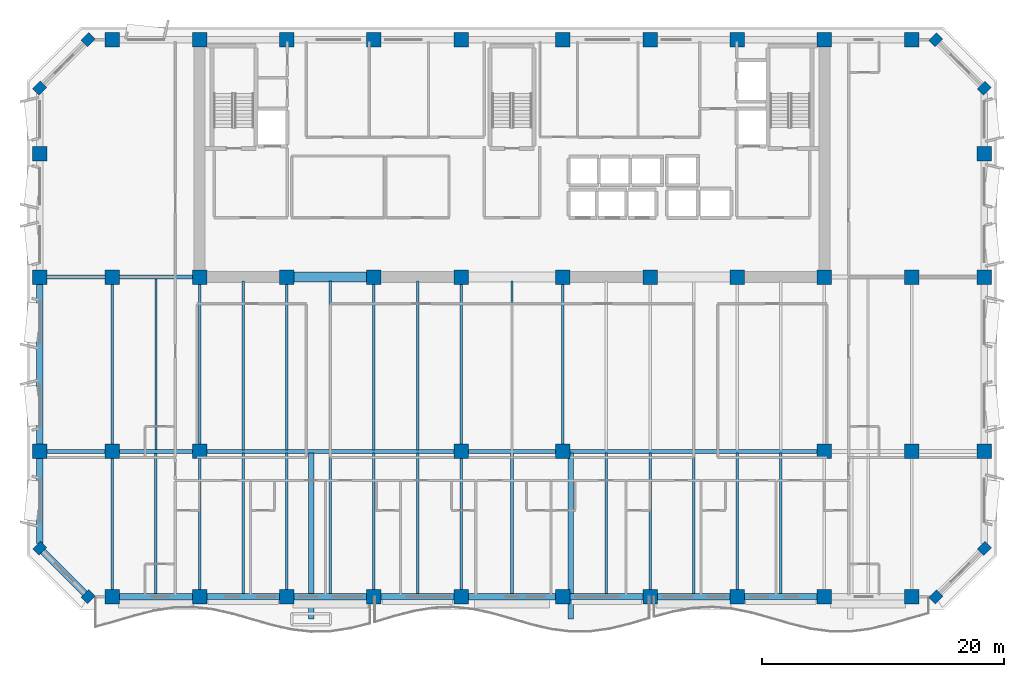
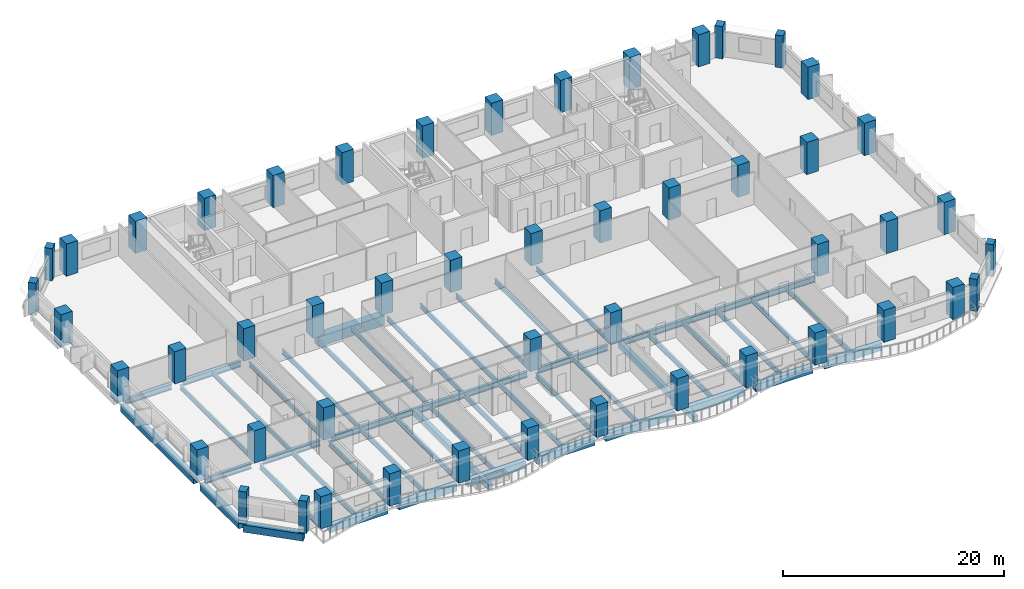
# One storey, part 1 of 15: 50 columns, 47 beams.
"""IFC4 building model written with IfcOpenShell, lengths in metres."""

from ifc_helpers import new_model, si_unit, direction, frame, origin, origin_2d, place, context, subcontext, project, spatial, rectangle, i_section, extrude, material, material_profile, profile_set, type_object, element, save


model = new_model("IFC4")

# Units and contexts
model_context = context("Model", 3, precision=1e-05, world=origin(), true_north=direction((0.0, 1.0)))
body_context = subcontext(model_context, "Body", "Model", "MODEL_VIEW")
ifc_project = project(units=[si_unit("LENGTHUNIT", "METRE"), si_unit("AREAUNIT", "SQUARE_METRE"), si_unit("VOLUMEUNIT", "CUBIC_METRE"), si_unit("PLANEANGLEUNIT", "RADIAN"), si_unit("MASSUNIT", "GRAM", prefix="KILO")], contexts=[model_context])

# Site, building, storey
site_placement = place(None, origin())
site = spatial("IfcSite", under=ifc_project, at=site_placement, CompositionType="ELEMENT")
building_placement = place(site_placement, origin())
building = spatial("IfcBuilding", under=site, at=building_placement, Name="Kaelvorn Grand Hotel", CompositionType="ELEMENT")
storey_placement = place(building_placement, frame((0.0, 0.0, 154.35009765625)))
storey = spatial("IfcBuildingStorey", under=building, at=storey_placement, Name="L37", CompositionType="ELEMENT", Elevation=154.35009765625)

# Columns
ifc_material_1 = material(Name="Concrete C60/75", Category="concrete")
ifc_material_profile_1 = material_profile(ifc_material_1, rectangle(XDim=0.89990234375, YDim=0.75, at=origin_2d()), Name="RC PILASTER 900x750")
ifc_profile_set_1 = profile_set([ifc_material_profile_1], Name="Concrete C60/75")
column_type_1 = type_object("IfcColumnType", Name="COL-PIL-900x750-C60", PredefinedType="PILASTER", material=ifc_profile_set_1)
for number, where, z_axis, x_axis, name in (
    (1, (7.0, 3.0, 0.0), (0.0, 0.0, 1.0), (0.707106781187, 0.707106781187, 0.0), "L37 Structural Column CH-01"),
    (2, (77.0, 3.0, 0.0), (0.0, 0.0, 1.0), (0.707106781187, 0.707106781187, 0.0), "L37 Structural Column CH-02"),
    (3, (81.0, 7.0, 0.0), (0.0, 0.0, 1.0), (0.707106781187, 0.707106781187, 0.0), "L37 Structural Column CH-03"),
    (4, (81.0, 45.0, 0.0), (0.0, 0.0, 1.0), (0.707106781187, 0.707106781187, 0.0), "L37 Structural Column CH-04"),
    (5, (77.0, 49.0, 0.0), (0.0, 0.0, 1.0), (0.707106781187, 0.707106781187, 0.0), "L37 Structural Column CH-05"),
    (6, (7.0, 49.0, 0.0), (0.0, 0.0, 1.0), (0.707106781187, 0.707106781187, 0.0), "L37 Structural Column CH-06"),
    (7, (3.0, 45.0, 0.0), (0.0, 0.0, 1.0), (0.707106781187, 0.707106781187, 0.0), "L37 Structural Column CH-07"),
    (8, (3.0, 7.0, 0.0), (0.0, 0.0, 1.0), (0.707106781187, 0.707106781187, 0.0), "L37 Structural Column CH-08"),
):
    element("IfcColumn", number, at=place(storey_placement, frame(where, z_axis=z_axis, x_axis=x_axis)), inside=storey, type_object=column_type_1, Name=name, PredefinedType="PILASTER", context=body_context, shape_type="SweptSolid", body=[
        extrude(rectangle(XDim=0.89990234375, YDim=0.75, at=origin_2d()), origin(), (0.0, 0.0, 1.0), 3.559814453125),
    ])
ifc_material_profile_2 = material_profile(ifc_material_1, rectangle(XDim=1.199951171875, YDim=1.199951171875, at=origin_2d()), Name="RC COL 1200x1200")
ifc_profile_set_2 = profile_set([ifc_material_profile_2], Name="Concrete C60/75")
column_type_2 = type_object("IfcColumnType", Name="COL-RC-1200-C60", PredefinedType="COLUMN", material=ifc_profile_set_2)
for number, where, z_axis, x_axis, name in (
    (9, (9.0, 3.0, 0.0), (0.0, 0.0, 1.0), (1.0, 0.0, 0.0), "L37 Structural Column S-01"),
    (10, (16.199951171875, 3.0, 0.0), (0.0, 0.0, 1.0), (1.0, 0.0, 0.0), "L37 Structural Column S-02"),
    (11, (23.39990234375, 3.0, 0.0), (0.0, 0.0, 1.0), (1.0, 0.0, 0.0), "L37 Structural Column S-03"),
    (12, (30.60009765625, 3.0, 0.0), (0.0, 0.0, 1.0), (1.0, 0.0, 0.0), "L37 Structural Column S-04"),
    (13, (37.800048828125, 3.0, 0.0), (0.0, 0.0, 1.0), (1.0, 0.0, 0.0), "L37 Structural Column S-05"),
    (14, (46.199951171875, 3.0, 0.0), (0.0, 0.0, 1.0), (1.0, 0.0, 0.0), "L37 Structural Column S-06"),
    (15, (53.39990234375, 3.0, 0.0), (0.0, 0.0, 1.0), (1.0, 0.0, 0.0), "L37 Structural Column S-07"),
    (16, (60.60009765625, 3.0, 0.0), (0.0, 0.0, 1.0), (1.0, 0.0, 0.0), "L37 Structural Column S-08"),
    (17, (67.800048828125, 3.0, 0.0), (0.0, 0.0, 1.0), (1.0, 0.0, 0.0), "L37 Structural Column S-09"),
    (18, (75.0, 3.0, 0.0), (0.0, 0.0, 1.0), (1.0, 0.0, 0.0), "L37 Structural Column S-10"),
    (19, (3.0, 15.0, 0.0), (0.0, 0.0, 1.0), (1.0, 0.0, 0.0), "L37 Structural Column W-01"),
    (20, (81.0, 15.0, 0.0), (0.0, 0.0, 1.0), (1.0, 0.0, 0.0), "L37 Structural Column E-01"),
    (21, (3.0, 29.39990234375, 0.0), (0.0, 0.0, 1.0), (1.0, 0.0, 0.0), "L37 Structural Column W-02"),
    (22, (81.0, 29.39990234375, 0.0), (0.0, 0.0, 1.0), (1.0, 0.0, 0.0), "L37 Structural Column E-02"),
    (23, (3.0, 39.60009765625, 0.0), (0.0, 0.0, 1.0), (1.0, 0.0, 0.0), "L37 Structural Column W-03"),
    (24, (81.0, 39.60009765625, 0.0), (0.0, 0.0, 1.0), (1.0, 0.0, 0.0), "L37 Structural Column E-03"),
    (25, (9.0, 15.0, 0.0), (0.0, 0.0, 1.0), (1.0, 0.0, 0.0), "L37 Structural Column M-01"),
    (26, (16.199951171875, 15.0, 0.0), (0.0, 0.0, 1.0), (1.0, 0.0, 0.0), "L37 Structural Column M-02"),
    (27, (37.800048828125, 15.0, 0.0), (0.0, 0.0, 1.0), (1.0, 0.0, 0.0), "L37 Structural Column M-03"),
    (28, (46.199951171875, 15.0, 0.0), (0.0, 0.0, 1.0), (1.0, 0.0, 0.0), "L37 Structural Column M-04"),
    (29, (67.800048828125, 15.0, 0.0), (0.0, 0.0, 1.0), (1.0, 0.0, 0.0), "L37 Structural Column M-05"),
    (30, (75.0, 15.0, 0.0), (0.0, 0.0, 1.0), (1.0, 0.0, 0.0), "L37 Structural Column M-06"),
    (31, (9.0, 29.39990234375, 0.0), (0.0, 0.0, 1.0), (1.0, 0.0, 0.0), "L37 Structural Column CR1-01"),
    (32, (9.0, 49.0, 0.0), (0.0, 0.0, 1.0), (1.0, 0.0, 0.0), "L37 Structural Column CR2-01"),
    (33, (16.199951171875, 29.39990234375, 0.0), (0.0, 0.0, 1.0), (1.0, 0.0, 0.0), "L37 Structural Column CR1-02"),
    (34, (16.199951171875, 49.0, 0.0), (0.0, 0.0, 1.0), (1.0, 0.0, 0.0), "L37 Structural Column CR2-02"),
    (35, (23.39990234375, 29.39990234375, 0.0), (0.0, 0.0, 1.0), (1.0, 0.0, 0.0), "L37 Structural Column CR1-03"),
    (36, (23.39990234375, 49.0, 0.0), (0.0, 0.0, 1.0), (1.0, 0.0, 0.0), "L37 Structural Column CR2-03"),
    (37, (30.60009765625, 29.39990234375, 0.0), (0.0, 0.0, 1.0), (1.0, 0.0, 0.0), "L37 Structural Column CR1-04"),
    (38, (30.60009765625, 49.0, 0.0), (0.0, 0.0, 1.0), (1.0, 0.0, 0.0), "L37 Structural Column CR2-04"),
    (39, (37.800048828125, 29.39990234375, 0.0), (0.0, 0.0, 1.0), (1.0, 0.0, 0.0), "L37 Structural Column CR1-05"),
    (40, (37.800048828125, 49.0, 0.0), (0.0, 0.0, 1.0), (1.0, 0.0, 0.0), "L37 Structural Column CR2-05"),
    (41, (46.199951171875, 29.39990234375, 0.0), (0.0, 0.0, 1.0), (1.0, 0.0, 0.0), "L37 Structural Column CR1-06"),
    (42, (46.199951171875, 49.0, 0.0), (0.0, 0.0, 1.0), (1.0, 0.0, 0.0), "L37 Structural Column CR2-06"),
    (43, (53.39990234375, 29.39990234375, 0.0), (0.0, 0.0, 1.0), (1.0, 0.0, 0.0), "L37 Structural Column CR1-07"),
    (44, (53.39990234375, 49.0, 0.0), (0.0, 0.0, 1.0), (1.0, 0.0, 0.0), "L37 Structural Column CR2-07"),
    (45, (60.60009765625, 29.39990234375, 0.0), (0.0, 0.0, 1.0), (1.0, 0.0, 0.0), "L37 Structural Column CR1-08"),
    (46, (60.60009765625, 49.0, 0.0), (0.0, 0.0, 1.0), (1.0, 0.0, 0.0), "L37 Structural Column CR2-08"),
    (47, (67.800048828125, 29.39990234375, 0.0), (0.0, 0.0, 1.0), (1.0, 0.0, 0.0), "L37 Structural Column CR1-09"),
    (48, (67.800048828125, 49.0, 0.0), (0.0, 0.0, 1.0), (1.0, 0.0, 0.0), "L37 Structural Column CR2-09"),
    (49, (75.0, 29.39990234375, 0.0), (0.0, 0.0, 1.0), (1.0, 0.0, 0.0), "L37 Structural Column CR1-10"),
    (50, (75.0, 49.0, 0.0), (0.0, 0.0, 1.0), (1.0, 0.0, 0.0), "L37 Structural Column CR2-10"),
):
    element("IfcColumn", number, at=place(storey_placement, frame(where, z_axis=z_axis, x_axis=x_axis)), inside=storey, type_object=column_type_2, Name=name, PredefinedType="COLUMN", context=body_context, shape_type="SweptSolid", body=[
        extrude(rectangle(XDim=1.199951171875, YDim=1.199951171875, at=origin_2d()), origin(), (0.0, 0.0, 1.0), 3.559814453125),
    ])

# Beams
ifc_material_2 = material(Name="Steel S355", Category="steel")
ifc_material_profile_3 = material_profile(ifc_material_2, i_section(OverallWidth=0.300048828125, OverallDepth=0.64990234375, WebThickness=0.01611328125, FlangeThickness=0.031005859375, FilletRadius=0.027099609375, at=origin_2d()), Name="HEB 650")
ifc_profile_set_3 = profile_set([ifc_material_profile_3], Name="Steel S355")
beam_type_1 = type_object("IfcBeamType", Name="BM-G-HEB650-S355", PredefinedType="BEAM", material=ifc_profile_set_3)
beam_1_placement = place(storey_placement, frame((3.5849609375, 15.0, -0.565185546875), z_axis=(1.0, 0.0, 0.0), x_axis=(0.0, 1.0, 0.0)))
element("IfcBeam", 51, at=beam_1_placement, inside=storey, type_object=beam_type_1, Name="L37 Primary Spine Steel Girder G-15 01", PredefinedType="BEAM", context=body_context, shape_type="SweptSolid", body=[
    extrude(i_section(OverallWidth=0.300048828125, OverallDepth=0.64990234375, WebThickness=0.01611328125, FlangeThickness=0.031005859375, FilletRadius=0.027099609375, at=origin_2d()), origin(), (0.0, 0.0, 1.0), 4.830078125),
])
beam_2_placement = place(storey_placement, frame((9.5849609375, 15.0, -0.565185546875), z_axis=(1.0, 0.0, 0.0), x_axis=(0.0, 1.0, 0.0)))
element("IfcBeam", 52, at=beam_2_placement, inside=storey, type_object=beam_type_1, Name="L37 Primary Spine Steel Girder G-15 02", PredefinedType="BEAM", context=body_context, shape_type="SweptSolid", body=[
    extrude(i_section(OverallWidth=0.300048828125, OverallDepth=0.64990234375, WebThickness=0.01611328125, FlangeThickness=0.031005859375, FilletRadius=0.027099609375, at=origin_2d()), origin(), (0.0, 0.0, 1.0), 6.030029296875),
])
beam_3_placement = place(storey_placement, frame((16.784912109375, 15.0, -0.565185546875), z_axis=(1.0, 0.0, 0.0), x_axis=(0.0, 1.0, 0.0)))
element("IfcBeam", 53, at=beam_3_placement, inside=storey, type_object=beam_type_1, Name="L37 Primary Spine Steel Girder G-15 03", PredefinedType="BEAM", context=body_context, shape_type="SweptSolid", body=[
    extrude(i_section(OverallWidth=0.300048828125, OverallDepth=0.64990234375, WebThickness=0.01611328125, FlangeThickness=0.031005859375, FilletRadius=0.027099609375, at=origin_2d()), origin(), (0.0, 0.0, 1.0), 20.43017578125),
])
beam_4_placement = place(storey_placement, frame((38.385009765625, 15.0, -0.565185546875), z_axis=(1.0, 0.0, 0.0), x_axis=(0.0, 1.0, 0.0)))
element("IfcBeam", 54, at=beam_4_placement, inside=storey, type_object=beam_type_1, Name="L37 Primary Spine Steel Girder G-15 04", PredefinedType="BEAM", context=body_context, shape_type="SweptSolid", body=[
    extrude(i_section(OverallWidth=0.300048828125, OverallDepth=0.64990234375, WebThickness=0.01611328125, FlangeThickness=0.031005859375, FilletRadius=0.027099609375, at=origin_2d()), origin(), (0.0, 0.0, 1.0), 7.22998046875),
])
beam_5_placement = place(storey_placement, frame((46.784912109375, 15.0, -0.565185546875), z_axis=(1.0, 0.0, 0.0), x_axis=(0.0, 1.0, 0.0)))
element("IfcBeam", 55, at=beam_5_placement, inside=storey, type_object=beam_type_1, Name="L37 Primary Spine Steel Girder G-15 05", PredefinedType="BEAM", context=body_context, shape_type="SweptSolid", body=[
    extrude(i_section(OverallWidth=0.300048828125, OverallDepth=0.64990234375, WebThickness=0.01611328125, FlangeThickness=0.031005859375, FilletRadius=0.027099609375, at=origin_2d()), origin(), (0.0, 0.0, 1.0), 20.43017578125),
])
beam_6_placement = place(storey_placement, frame((3.5849609375, 29.39990234375, -0.565185546875), z_axis=(1.0, 0.0, 0.0), x_axis=(0.0, 1.0, 0.0)))
element("IfcBeam", 56, at=beam_6_placement, inside=storey, type_object=beam_type_1, Name="L37 West Core Wing Steel Girder G-29W 01", PredefinedType="BEAM", context=body_context, shape_type="SweptSolid", body=[
    extrude(i_section(OverallWidth=0.300048828125, OverallDepth=0.64990234375, WebThickness=0.01611328125, FlangeThickness=0.031005859375, FilletRadius=0.027099609375, at=origin_2d()), origin(), (0.0, 0.0, 1.0), 4.830078125),
])
beam_7_placement = place(storey_placement, frame((9.5849609375, 29.39990234375, -0.565185546875), z_axis=(1.0, 0.0, 0.0), x_axis=(0.0, 1.0, 0.0)))
element("IfcBeam", 57, at=beam_7_placement, inside=storey, type_object=beam_type_1, Name="L37 West Core Wing Steel Girder G-29W 02", PredefinedType="BEAM", context=body_context, shape_type="SweptSolid", body=[
    extrude(i_section(OverallWidth=0.300048828125, OverallDepth=0.64990234375, WebThickness=0.01611328125, FlangeThickness=0.031005859375, FilletRadius=0.027099609375, at=origin_2d()), origin(), (0.0, 0.0, 1.0), 6.030029296875),
])
ifc_material_profile_4 = material_profile(ifc_material_2, i_section(OverallWidth=0.199951171875, OverallDepth=0.5, WebThickness=0.01025390625, FlangeThickness=0.01611328125, FilletRadius=0.02099609375, at=origin_2d()), Name="IPE 500")
ifc_profile_set_4 = profile_set([ifc_material_profile_4], Name="Steel S355")
beam_type_2 = type_object("IfcBeamType", Name="BM-J-IPE500-S355", PredefinedType="JOIST", material=ifc_profile_set_4)
beam_8_placement = place(storey_placement, frame((9.0, 15.5849609375, -0.489990234375), z_axis=(0.0, 1.0, 0.0), x_axis=(-1.0, 0.0, 0.0)))
element("IfcBeam", 58, at=beam_8_placement, inside=storey, type_object=beam_type_2, Name="L37 Composite Floor Joist JM-03", PredefinedType="JOIST", context=body_context, shape_type="SweptSolid", body=[
    extrude(i_section(OverallWidth=0.199951171875, OverallDepth=0.5, WebThickness=0.01025390625, FlangeThickness=0.01611328125, FilletRadius=0.02099609375, at=origin_2d()), origin(), (0.0, 0.0, 1.0), 13.22998046875),
])
beam_9_placement = place(storey_placement, frame((12.60009765625, 15.135009765625, -0.489990234375), z_axis=(0.0, 1.0, 0.0), x_axis=(-1.0, 0.0, 0.0)))
element("IfcBeam", 59, at=beam_9_placement, inside=storey, type_object=beam_type_2, Name="L37 Composite Floor Joist JM-04", PredefinedType="JOIST", context=body_context, shape_type="SweptSolid", body=[
    extrude(i_section(OverallWidth=0.199951171875, OverallDepth=0.5, WebThickness=0.01025390625, FlangeThickness=0.01611328125, FilletRadius=0.02099609375, at=origin_2d()), origin(), (0.0, 0.0, 1.0), 14.1298828125),
])
beam_10_placement = place(storey_placement, frame((16.199951171875, 15.5849609375, -0.489990234375), z_axis=(0.0, 1.0, 0.0), x_axis=(-1.0, 0.0, 0.0)))
element("IfcBeam", 60, at=beam_10_placement, inside=storey, type_object=beam_type_2, Name="L37 Composite Floor Joist JM-05", PredefinedType="JOIST", context=body_context, shape_type="SweptSolid", body=[
    extrude(i_section(OverallWidth=0.199951171875, OverallDepth=0.5, WebThickness=0.01025390625, FlangeThickness=0.01611328125, FilletRadius=0.02099609375, at=origin_2d()), origin(), (0.0, 0.0, 1.0), 13.22998046875),
])
beam_11_placement = place(storey_placement, frame((19.800048828125, 15.135009765625, -0.489990234375), z_axis=(0.0, 1.0, 0.0), x_axis=(-1.0, 0.0, 0.0)))
element("IfcBeam", 61, at=beam_11_placement, inside=storey, type_object=beam_type_2, Name="L37 Composite Floor Joist JM-06", PredefinedType="JOIST", context=body_context, shape_type="SweptSolid", body=[
    extrude(i_section(OverallWidth=0.199951171875, OverallDepth=0.5, WebThickness=0.01025390625, FlangeThickness=0.01611328125, FilletRadius=0.02099609375, at=origin_2d()), origin(), (0.0, 0.0, 1.0), 13.925048828125),
])
beam_12_placement = place(storey_placement, frame((23.39990234375, 15.135009765625, -0.489990234375), z_axis=(0.0, 1.0, 0.0), x_axis=(-1.0, 0.0, 0.0)))
element("IfcBeam", 62, at=beam_12_placement, inside=storey, type_object=beam_type_2, Name="L37 Composite Floor Joist JM-07", PredefinedType="JOIST", context=body_context, shape_type="SweptSolid", body=[
    extrude(i_section(OverallWidth=0.199951171875, OverallDepth=0.5, WebThickness=0.01025390625, FlangeThickness=0.01611328125, FilletRadius=0.02099609375, at=origin_2d()), origin(), (0.0, 0.0, 1.0), 13.679931640625),
])
beam_13_placement = place(storey_placement, frame((27.0, 15.135009765625, -0.489990234375), z_axis=(0.0, 1.0, 0.0), x_axis=(-1.0, 0.0, 0.0)))
element("IfcBeam", 63, at=beam_13_placement, inside=storey, type_object=beam_type_2, Name="L37 Composite Floor Joist JM-08", PredefinedType="JOIST", context=body_context, shape_type="SweptSolid", body=[
    extrude(i_section(OverallWidth=0.199951171875, OverallDepth=0.5, WebThickness=0.01025390625, FlangeThickness=0.01611328125, FilletRadius=0.02099609375, at=origin_2d()), origin(), (0.0, 0.0, 1.0), 13.925048828125),
])
beam_14_placement = place(storey_placement, frame((30.60009765625, 15.135009765625, -0.489990234375), z_axis=(0.0, 1.0, 0.0), x_axis=(-1.0, 0.0, 0.0)))
element("IfcBeam", 64, at=beam_14_placement, inside=storey, type_object=beam_type_2, Name="L37 Composite Floor Joist JM-09", PredefinedType="JOIST", context=body_context, shape_type="SweptSolid", body=[
    extrude(i_section(OverallWidth=0.199951171875, OverallDepth=0.5, WebThickness=0.01025390625, FlangeThickness=0.01611328125, FilletRadius=0.02099609375, at=origin_2d()), origin(), (0.0, 0.0, 1.0), 13.679931640625),
])
beam_15_placement = place(storey_placement, frame((34.199951171875, 15.135009765625, -0.489990234375), z_axis=(0.0, 1.0, 0.0), x_axis=(-1.0, 0.0, 0.0)))
element("IfcBeam", 65, at=beam_15_placement, inside=storey, type_object=beam_type_2, Name="L37 Composite Floor Joist JM-10", PredefinedType="JOIST", context=body_context, shape_type="SweptSolid", body=[
    extrude(i_section(OverallWidth=0.199951171875, OverallDepth=0.5, WebThickness=0.01025390625, FlangeThickness=0.01611328125, FilletRadius=0.02099609375, at=origin_2d()), origin(), (0.0, 0.0, 1.0), 13.925048828125),
])
beam_16_placement = place(storey_placement, frame((37.800048828125, 15.5849609375, -0.489990234375), z_axis=(0.0, 1.0, 0.0), x_axis=(-1.0, 0.0, 0.0)))
element("IfcBeam", 66, at=beam_16_placement, inside=storey, type_object=beam_type_2, Name="L37 Composite Floor Joist JM-11", PredefinedType="JOIST", context=body_context, shape_type="SweptSolid", body=[
    extrude(i_section(OverallWidth=0.199951171875, OverallDepth=0.5, WebThickness=0.01025390625, FlangeThickness=0.01611328125, FilletRadius=0.02099609375, at=origin_2d()), origin(), (0.0, 0.0, 1.0), 13.22998046875),
])
beam_17_placement = place(storey_placement, frame((42.0, 15.135009765625, -0.489990234375), z_axis=(0.0, 1.0, 0.0), x_axis=(-1.0, 0.0, 0.0)))
element("IfcBeam", 67, at=beam_17_placement, inside=storey, type_object=beam_type_2, Name="L37 Composite Floor Joist JM-12", PredefinedType="JOIST", context=body_context, shape_type="SweptSolid", body=[
    extrude(i_section(OverallWidth=0.199951171875, OverallDepth=0.5, WebThickness=0.01025390625, FlangeThickness=0.01611328125, FilletRadius=0.02099609375, at=origin_2d()), origin(), (0.0, 0.0, 1.0), 13.925048828125),
])
beam_18_placement = place(storey_placement, frame((46.199951171875, 15.5849609375, -0.489990234375), z_axis=(0.0, 1.0, 0.0), x_axis=(-1.0, 0.0, 0.0)))
element("IfcBeam", 68, at=beam_18_placement, inside=storey, type_object=beam_type_2, Name="L37 Composite Floor Joist JM-13", PredefinedType="JOIST", context=body_context, shape_type="SweptSolid", body=[
    extrude(i_section(OverallWidth=0.199951171875, OverallDepth=0.5, WebThickness=0.01025390625, FlangeThickness=0.01611328125, FilletRadius=0.02099609375, at=origin_2d()), origin(), (0.0, 0.0, 1.0), 13.22998046875),
])
ifc_material_profile_5 = material_profile(ifc_material_2, i_section(OverallWidth=0.2099609375, OverallDepth=0.550048828125, WebThickness=0.010986328125, FlangeThickness=0.01708984375, FilletRadius=0.02392578125, at=origin_2d()), Name="IPE 550")
ifc_profile_set_5 = profile_set([ifc_material_profile_5], Name="Steel S355")
beam_type_3 = type_object("IfcBeamType", Name="BM-J-IPE550-S355", PredefinedType="JOIST", material=ifc_profile_set_5)
beam_19_placement = place(storey_placement, frame((9.0, 3.5849609375, -0.51513671875), z_axis=(0.0, 1.0, 0.0), x_axis=(-1.0, 0.0, 0.0)))
element("IfcBeam", 69, at=beam_19_placement, inside=storey, type_object=beam_type_3, Name="L37 Composite Floor Joist JS-03", PredefinedType="JOIST", context=body_context, shape_type="SweptSolid", body=[
    extrude(i_section(OverallWidth=0.2099609375, OverallDepth=0.550048828125, WebThickness=0.010986328125, FlangeThickness=0.01708984375, FilletRadius=0.02392578125, at=origin_2d()), origin(), (0.0, 0.0, 1.0), 10.830078125),
])
beam_20_placement = place(storey_placement, frame((12.60009765625, 3.260009765625, -0.51513671875), z_axis=(0.0, 1.0, 0.0), x_axis=(-1.0, 0.0, 0.0)))
element("IfcBeam", 70, at=beam_20_placement, inside=storey, type_object=beam_type_3, Name="L37 Composite Floor Joist JS-04", PredefinedType="JOIST", context=body_context, shape_type="SweptSolid", body=[
    extrude(i_section(OverallWidth=0.2099609375, OverallDepth=0.550048828125, WebThickness=0.010986328125, FlangeThickness=0.01708984375, FilletRadius=0.02392578125, at=origin_2d()), origin(), (0.0, 0.0, 1.0), 11.60498046875),
])
beam_21_placement = place(storey_placement, frame((16.199951171875, 3.5849609375, -0.51513671875), z_axis=(0.0, 1.0, 0.0), x_axis=(-1.0, 0.0, 0.0)))
element("IfcBeam", 71, at=beam_21_placement, inside=storey, type_object=beam_type_3, Name="L37 Composite Floor Joist JS-05", PredefinedType="JOIST", context=body_context, shape_type="SweptSolid", body=[
    extrude(i_section(OverallWidth=0.2099609375, OverallDepth=0.550048828125, WebThickness=0.010986328125, FlangeThickness=0.01708984375, FilletRadius=0.02392578125, at=origin_2d()), origin(), (0.0, 0.0, 1.0), 10.830078125),
])
beam_22_placement = place(storey_placement, frame((19.800048828125, 3.260009765625, -0.51513671875), z_axis=(0.0, 1.0, 0.0), x_axis=(-1.0, 0.0, 0.0)))
element("IfcBeam", 72, at=beam_22_placement, inside=storey, type_object=beam_type_3, Name="L37 Composite Floor Joist JS-06", PredefinedType="JOIST", context=body_context, shape_type="SweptSolid", body=[
    extrude(i_section(OverallWidth=0.2099609375, OverallDepth=0.550048828125, WebThickness=0.010986328125, FlangeThickness=0.01708984375, FilletRadius=0.02392578125, at=origin_2d()), origin(), (0.0, 0.0, 1.0), 11.60498046875),
])
beam_23_placement = place(storey_placement, frame((23.39990234375, 3.5849609375, -0.51513671875), z_axis=(0.0, 1.0, 0.0), x_axis=(-1.0, 0.0, 0.0)))
element("IfcBeam", 73, at=beam_23_placement, inside=storey, type_object=beam_type_3, Name="L37 Composite Floor Joist JS-07", PredefinedType="JOIST", context=body_context, shape_type="SweptSolid", body=[
    extrude(i_section(OverallWidth=0.2099609375, OverallDepth=0.550048828125, WebThickness=0.010986328125, FlangeThickness=0.01708984375, FilletRadius=0.02392578125, at=origin_2d()), origin(), (0.0, 0.0, 1.0), 11.280029296875),
])
beam_24_placement = place(storey_placement, frame((27.0, 3.260009765625, -0.51513671875), z_axis=(0.0, 1.0, 0.0), x_axis=(-1.0, 0.0, 0.0)))
element("IfcBeam", 74, at=beam_24_placement, inside=storey, type_object=beam_type_3, Name="L37 Composite Floor Joist JS-08", PredefinedType="JOIST", context=body_context, shape_type="SweptSolid", body=[
    extrude(i_section(OverallWidth=0.2099609375, OverallDepth=0.550048828125, WebThickness=0.010986328125, FlangeThickness=0.01708984375, FilletRadius=0.02392578125, at=origin_2d()), origin(), (0.0, 0.0, 1.0), 11.60498046875),
])
beam_25_placement = place(storey_placement, frame((30.60009765625, 3.5849609375, -0.51513671875), z_axis=(0.0, 1.0, 0.0), x_axis=(-1.0, 0.0, 0.0)))
element("IfcBeam", 75, at=beam_25_placement, inside=storey, type_object=beam_type_3, Name="L37 Composite Floor Joist JS-09", PredefinedType="JOIST", context=body_context, shape_type="SweptSolid", body=[
    extrude(i_section(OverallWidth=0.2099609375, OverallDepth=0.550048828125, WebThickness=0.010986328125, FlangeThickness=0.01708984375, FilletRadius=0.02392578125, at=origin_2d()), origin(), (0.0, 0.0, 1.0), 11.280029296875),
])
beam_26_placement = place(storey_placement, frame((34.199951171875, 3.260009765625, -0.51513671875), z_axis=(0.0, 1.0, 0.0), x_axis=(-1.0, 0.0, 0.0)))
element("IfcBeam", 76, at=beam_26_placement, inside=storey, type_object=beam_type_3, Name="L37 Composite Floor Joist JS-10", PredefinedType="JOIST", context=body_context, shape_type="SweptSolid", body=[
    extrude(i_section(OverallWidth=0.2099609375, OverallDepth=0.550048828125, WebThickness=0.010986328125, FlangeThickness=0.01708984375, FilletRadius=0.02392578125, at=origin_2d()), origin(), (0.0, 0.0, 1.0), 11.60498046875),
])
beam_27_placement = place(storey_placement, frame((37.800048828125, 3.5849609375, -0.51513671875), z_axis=(0.0, 1.0, 0.0), x_axis=(-1.0, 0.0, 0.0)))
element("IfcBeam", 77, at=beam_27_placement, inside=storey, type_object=beam_type_3, Name="L37 Composite Floor Joist JS-11", PredefinedType="JOIST", context=body_context, shape_type="SweptSolid", body=[
    extrude(i_section(OverallWidth=0.2099609375, OverallDepth=0.550048828125, WebThickness=0.010986328125, FlangeThickness=0.01708984375, FilletRadius=0.02392578125, at=origin_2d()), origin(), (0.0, 0.0, 1.0), 10.830078125),
])
for number, where, z_axis, x_axis, name in (
    (78, (42.0, 3.260009765625, -0.51513671875), (0.0, 1.0, 0.0), (-1.0, 0.0, 0.0), "L37 Composite Floor Joist JS-12"),
    (79, (49.800048828125, 3.260009765625, -0.51513671875), (0.0, 1.0, 0.0), (-1.0, 0.0, 0.0), "L37 Composite Floor Joist JS-14"),
):
    element("IfcBeam", number, at=place(storey_placement, frame(where, z_axis=z_axis, x_axis=x_axis)), inside=storey, type_object=beam_type_3, Name=name, PredefinedType="JOIST", context=body_context, shape_type="SweptSolid", body=[
        extrude(i_section(OverallWidth=0.2099609375, OverallDepth=0.550048828125, WebThickness=0.010986328125, FlangeThickness=0.01708984375, FilletRadius=0.02392578125, at=origin_2d()), origin(), (0.0, 0.0, 1.0), 11.60498046875),
    ])
beam_28_placement = place(storey_placement, frame((53.39990234375, 3.5849609375, -0.51513671875), z_axis=(0.0, 1.0, 0.0), x_axis=(-1.0, 0.0, 0.0)))
element("IfcBeam", 80, at=beam_28_placement, inside=storey, type_object=beam_type_3, Name="L37 Composite Floor Joist JS-15", PredefinedType="JOIST", context=body_context, shape_type="SweptSolid", body=[
    extrude(i_section(OverallWidth=0.2099609375, OverallDepth=0.550048828125, WebThickness=0.010986328125, FlangeThickness=0.01708984375, FilletRadius=0.02392578125, at=origin_2d()), origin(), (0.0, 0.0, 1.0), 11.280029296875),
])
beam_29_placement = place(storey_placement, frame((57.0, 3.260009765625, -0.51513671875), z_axis=(0.0, 1.0, 0.0), x_axis=(-1.0, 0.0, 0.0)))
element("IfcBeam", 81, at=beam_29_placement, inside=storey, type_object=beam_type_3, Name="L37 Composite Floor Joist JS-16", PredefinedType="JOIST", context=body_context, shape_type="SweptSolid", body=[
    extrude(i_section(OverallWidth=0.2099609375, OverallDepth=0.550048828125, WebThickness=0.010986328125, FlangeThickness=0.01708984375, FilletRadius=0.02392578125, at=origin_2d()), origin(), (0.0, 0.0, 1.0), 11.60498046875),
])
beam_30_placement = place(storey_placement, frame((60.60009765625, 3.5849609375, -0.51513671875), z_axis=(0.0, 1.0, 0.0), x_axis=(-1.0, 0.0, 0.0)))
element("IfcBeam", 82, at=beam_30_placement, inside=storey, type_object=beam_type_3, Name="L37 Composite Floor Joist JS-17", PredefinedType="JOIST", context=body_context, shape_type="SweptSolid", body=[
    extrude(i_section(OverallWidth=0.2099609375, OverallDepth=0.550048828125, WebThickness=0.010986328125, FlangeThickness=0.01708984375, FilletRadius=0.02392578125, at=origin_2d()), origin(), (0.0, 0.0, 1.0), 11.280029296875),
])
beam_31_placement = place(storey_placement, frame((64.199951171875, 3.260009765625, -0.51513671875), z_axis=(0.0, 1.0, 0.0), x_axis=(-1.0, 0.0, 0.0)))
element("IfcBeam", 83, at=beam_31_placement, inside=storey, type_object=beam_type_3, Name="L37 Composite Floor Joist JS-18", PredefinedType="JOIST", context=body_context, shape_type="SweptSolid", body=[
    extrude(i_section(OverallWidth=0.2099609375, OverallDepth=0.550048828125, WebThickness=0.010986328125, FlangeThickness=0.01708984375, FilletRadius=0.02392578125, at=origin_2d()), origin(), (0.0, 0.0, 1.0), 11.60498046875),
])
ifc_material_profile_6 = material_profile(ifc_material_1, rectangle(XDim=0.800048828125, YDim=1.10009765625, at=origin_2d()), Name="RC LINTEL 800x1100")
ifc_profile_set_6 = profile_set([ifc_material_profile_6], Name="Concrete C60/75")
beam_type_4 = type_object("IfcBeamType", Name="BM-LIN-800x1100-C60", PredefinedType="LINTEL", material=ifc_profile_set_6)
beam_32_placement = place(storey_placement, frame((23.580078125, 29.39990234375, -0.7900390625), z_axis=(1.0, 0.0, 0.0), x_axis=(0.0, 1.0, 0.0)))
element("IfcBeam", 84, at=beam_32_placement, inside=storey, type_object=beam_type_4, Name="L37 Rear-Core Coupling Lintel Beam CB1-01", PredefinedType="LINTEL", context=body_context, shape_type="SweptSolid", body=[
    extrude(rectangle(XDim=0.800048828125, YDim=1.10009765625, at=origin_2d()), origin(), (0.0, 0.0, 1.0), 6.83984375),
])
ifc_material_3 = material(Name="Concrete C40/50", Category="concrete")
ifc_material_profile_7 = material_profile(ifc_material_3, rectangle(XDim=0.449951171875, YDim=0.64990234375, at=origin_2d()), Name="RC RIB 450x650")
ifc_profile_set_7 = profile_set([ifc_material_profile_7], Name="Concrete C40/50")
beam_type_5 = type_object("IfcBeamType", Name="BM-RIB-450x650-C40", PredefinedType="SPANDREL", material=ifc_profile_set_7)
for number, where, z_axis, x_axis, name in (
    (85, (25.409423828125, 1.14990234375, -0.545166015625), (0.0, 1.0, 0.0), (-1.0, 0.0, 0.0), "L37 Cantilevered Balcony Back-Span Rib RB1-1"),
    (86, (46.857177734375, 1.14990234375, -0.545166015625), (0.0, 1.0, 0.0), (-1.0, 0.0, 0.0), "L37 Cantilevered Balcony Back-Span Rib RB1-2"),
):
    element("IfcBeam", number, at=place(storey_placement, frame(where, z_axis=z_axis, x_axis=x_axis)), inside=storey, type_object=beam_type_5, Name=name, PredefinedType="SPANDREL", context=body_context, shape_type="SweptSolid", body=[
        extrude(rectangle(XDim=0.449951171875, YDim=0.64990234375, at=origin_2d()), origin(), (0.0, 0.0, 1.0), 13.715087890625),
    ])
ifc_material_4 = material(Name="Concrete C50/60", Category="concrete")
ifc_material_profile_8 = material_profile(ifc_material_4, rectangle(XDim=0.550048828125, YDim=0.800048828125, at=origin_2d()), Name="RC SPANDREL 550x800")
ifc_profile_set_8 = profile_set([ifc_material_profile_8], Name="Concrete C50/60")
beam_type_6 = type_object("IfcBeamType", Name="BM-SP-550x800-C50", PredefinedType="SPANDREL", material=ifc_profile_set_8)
for number, where, z_axis, x_axis, name in (
    (87, (9.5849609375, 3.0, -0.64013671875), (1.0, 0.0, 0.0), (0.0, 1.0, 0.0), "L37 South Perimeter Spandrel 02"),
    (88, (16.784912109375, 3.0, -0.64013671875), (1.0, 0.0, 0.0), (0.0, 1.0, 0.0), "L37 South Perimeter Spandrel 03"),
):
    element("IfcBeam", number, at=place(storey_placement, frame(where, z_axis=z_axis, x_axis=x_axis)), inside=storey, type_object=beam_type_6, Name=name, PredefinedType="SPANDREL", context=body_context, shape_type="SweptSolid", body=[
        extrude(rectangle(XDim=0.550048828125, YDim=0.800048828125, at=origin_2d()), origin(), (0.0, 0.0, 1.0), 6.030029296875),
    ])
beam_33_placement = place(storey_placement, frame((23.985107421875, 3.0, -0.64013671875), z_axis=(1.0, 0.0, 0.0), x_axis=(0.0, 1.0, 0.0)))
element("IfcBeam", 89, at=beam_33_placement, inside=storey, type_object=beam_type_6, Name="L37 South Perimeter Spandrel 04", PredefinedType="SPANDREL", context=body_context, shape_type="SweptSolid", body=[
    extrude(rectangle(XDim=0.550048828125, YDim=0.800048828125, at=origin_2d()), origin(), (0.0, 0.0, 1.0), 6.02978515625),
])
beam_34_placement = place(storey_placement, frame((31.18505859375, 3.0, -0.64013671875), z_axis=(1.0, 0.0, 0.0), x_axis=(0.0, 1.0, 0.0)))
element("IfcBeam", 90, at=beam_34_placement, inside=storey, type_object=beam_type_6, Name="L37 South Perimeter Spandrel 05", PredefinedType="SPANDREL", context=body_context, shape_type="SweptSolid", body=[
    extrude(rectangle(XDim=0.550048828125, YDim=0.800048828125, at=origin_2d()), origin(), (0.0, 0.0, 1.0), 6.030029296875),
])
beam_35_placement = place(storey_placement, frame((38.385009765625, 3.0, -0.64013671875), z_axis=(1.0, 0.0, 0.0), x_axis=(0.0, 1.0, 0.0)))
element("IfcBeam", 91, at=beam_35_placement, inside=storey, type_object=beam_type_6, Name="L37 South Perimeter Spandrel 06", PredefinedType="SPANDREL", context=body_context, shape_type="SweptSolid", body=[
    extrude(rectangle(XDim=0.550048828125, YDim=0.800048828125, at=origin_2d()), origin(), (0.0, 0.0, 1.0), 7.22998046875),
])
beam_36_placement = place(storey_placement, frame((46.784912109375, 3.0, -0.64013671875), z_axis=(1.0, 0.0, 0.0), x_axis=(0.0, 1.0, 0.0)))
element("IfcBeam", 92, at=beam_36_placement, inside=storey, type_object=beam_type_6, Name="L37 South Perimeter Spandrel 07", PredefinedType="SPANDREL", context=body_context, shape_type="SweptSolid", body=[
    extrude(rectangle(XDim=0.550048828125, YDim=0.800048828125, at=origin_2d()), origin(), (0.0, 0.0, 1.0), 6.030029296875),
])
beam_37_placement = place(storey_placement, frame((53.985107421875, 3.0, -0.64013671875), z_axis=(1.0, 0.0, 0.0), x_axis=(0.0, 1.0, 0.0)))
element("IfcBeam", 93, at=beam_37_placement, inside=storey, type_object=beam_type_6, Name="L37 South Perimeter Spandrel 08", PredefinedType="SPANDREL", context=body_context, shape_type="SweptSolid", body=[
    extrude(rectangle(XDim=0.550048828125, YDim=0.800048828125, at=origin_2d()), origin(), (0.0, 0.0, 1.0), 6.02978515625),
])
beam_38_placement = place(storey_placement, frame((61.18505859375, 3.0, -0.64013671875), z_axis=(1.0, 0.0, 0.0), x_axis=(0.0, 1.0, 0.0)))
element("IfcBeam", 94, at=beam_38_placement, inside=storey, type_object=beam_type_6, Name="L37 South Perimeter Spandrel 09", PredefinedType="SPANDREL", context=body_context, shape_type="SweptSolid", body=[
    extrude(rectangle(XDim=0.550048828125, YDim=0.800048828125, at=origin_2d()), origin(), (0.0, 0.0, 1.0), 6.030029296875),
])
beam_39_placement = place(storey_placement, frame((3.0, 7.405029296875, -0.64013671875), z_axis=(0.0, 1.0, 0.0), x_axis=(-1.0, 0.0, 0.0)))
element("IfcBeam", 95, at=beam_39_placement, inside=storey, type_object=beam_type_6, Name="L37 West Perimeter Spandrel 01", PredefinedType="SPANDREL", context=body_context, shape_type="SweptSolid", body=[
    extrude(rectangle(XDim=0.550048828125, YDim=0.800048828125, at=origin_2d()), origin(), (0.0, 0.0, 1.0), 7.010009765625),
])
beam_40_placement = place(storey_placement, frame((3.0, 15.5849609375, -0.64013671875), z_axis=(0.0, 1.0, 0.0), x_axis=(-1.0, 0.0, 0.0)))
element("IfcBeam", 96, at=beam_40_placement, inside=storey, type_object=beam_type_6, Name="L37 West Perimeter Spandrel 02", PredefinedType="SPANDREL", context=body_context, shape_type="SweptSolid", body=[
    extrude(rectangle(XDim=0.550048828125, YDim=0.800048828125, at=origin_2d()), origin(), (0.0, 0.0, 1.0), 13.22998046875),
])
beam_41_placement = place(storey_placement, frame((3.0, 7.0, -0.64013671875), z_axis=(0.707106781187, -0.707106781187, 0.0), x_axis=(0.707106781187, 0.707106781187, 0.0)))
element("IfcBeam", 97, at=beam_41_placement, inside=storey, type_object=beam_type_6, Name="L37 Chamfer Spandrel Beam 4", PredefinedType="SPANDREL", context=body_context, shape_type="SweptSolid", body=[
    extrude(rectangle(XDim=0.550048828125, YDim=0.800048828125, at=origin_2d()), origin(), (0.0, 0.0, 1.0), 5.65673828125),
])

save(model, "model.ifc")
